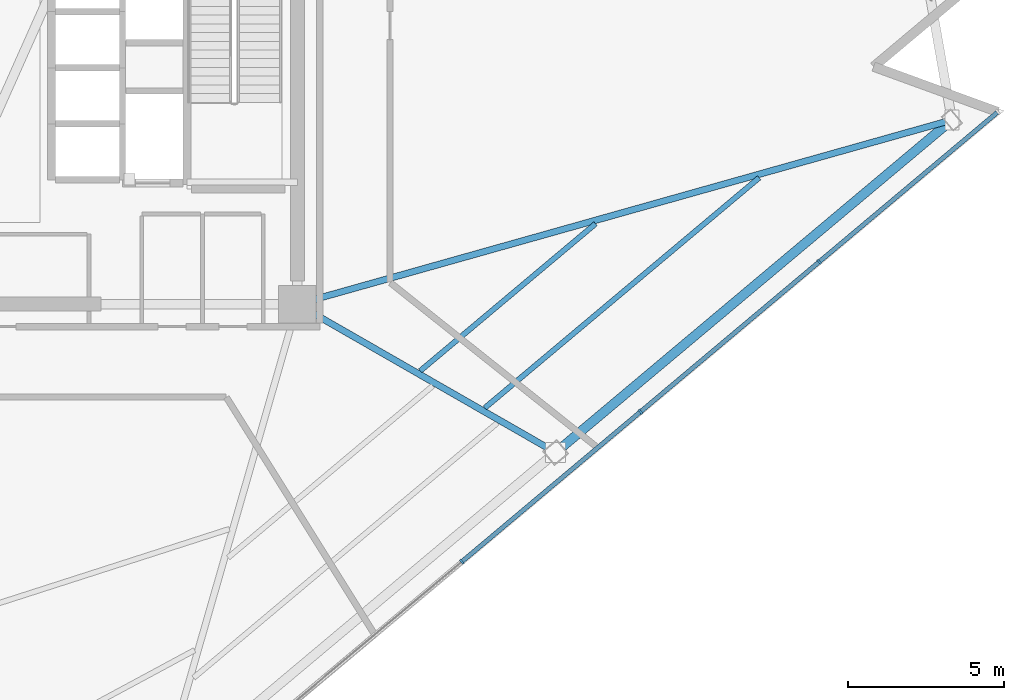
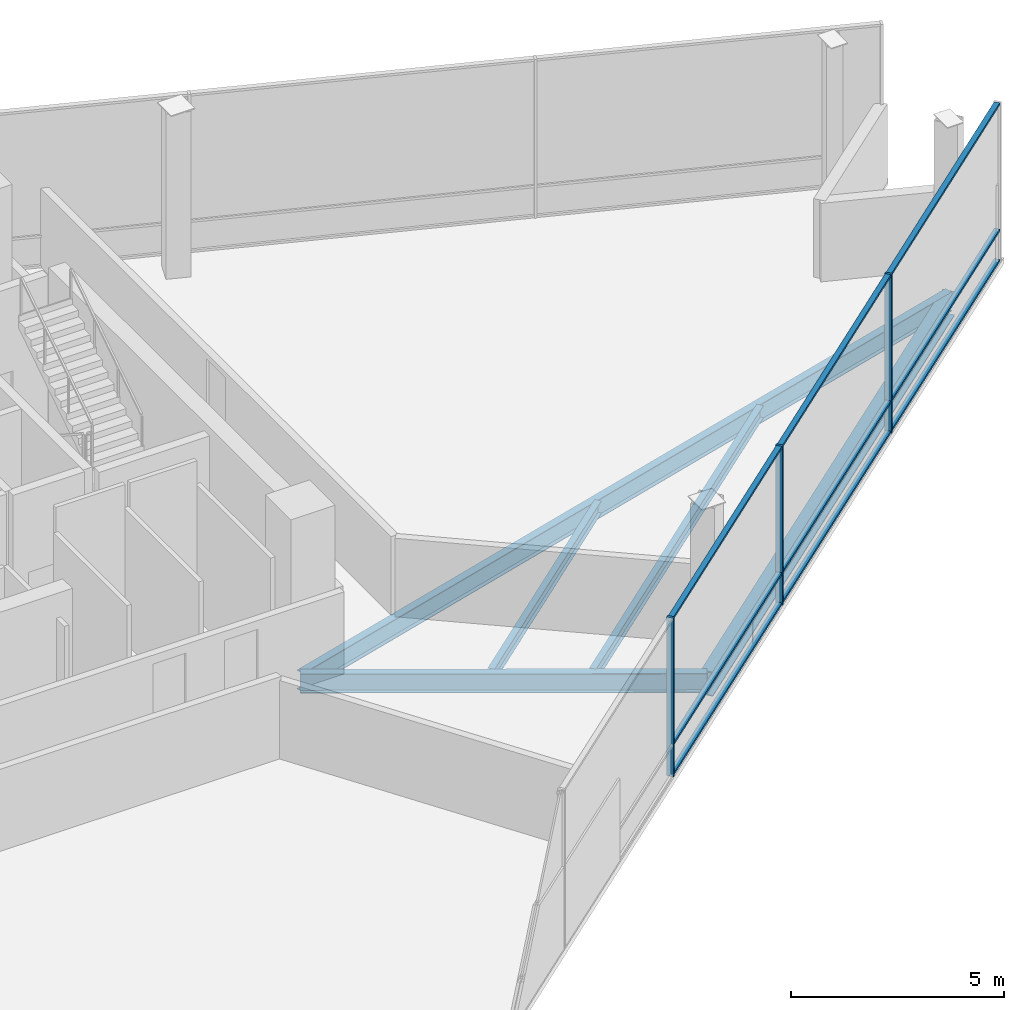
# One storey, part 4 of 15: 12 members, 5 beams, 1 element without a shape of its own.
"""IFC4 building model written with IfcOpenShell, lengths in metres."""

from ifc_helpers import new_model, si_unit, direction, frame, origin, origin_2d, place, context, subcontext, project, spatial, rectangle, i_section, extrude, material, layer, layer_set, material_profile, profile_set, type_object, element, aggregate, save


model = new_model("IFC4")

# Units and contexts
model_context = context("Model", 3, precision=1e-05, world=origin(), true_north=direction((0.0, 1.0)))
body_context = subcontext(model_context, "Body", "Model", "MODEL_VIEW")
ifc_project = project(units=[si_unit("LENGTHUNIT", "METRE"), si_unit("AREAUNIT", "SQUARE_METRE"), si_unit("VOLUMEUNIT", "CUBIC_METRE"), si_unit("PLANEANGLEUNIT", "RADIAN"), si_unit("MASSUNIT", "GRAM", prefix="KILO")], contexts=[model_context])

# Site, building, storey
site_placement = place(None, origin())
site = spatial("IfcSite", under=ifc_project, at=site_placement, CompositionType="ELEMENT")
building_placement = place(site_placement, origin())
building = spatial("IfcBuilding", under=site, at=building_placement, Name="Tharavind Bronze Gate", CompositionType="ELEMENT")
storey_placement = place(building_placement, frame((0.0, 0.0, 192.10009765625)))
storey = spatial("IfcBuildingStorey", under=building, at=storey_placement, Name="L49", CompositionType="ELEMENT", Elevation=192.10009765625)

# Curtain wall, members
ifc_material_1 = material(Name="Anodised Bronze Aluminium", Category="aluminium")
ifc_layer = layer(ifc_material_1, 0.219970703125)
ifc_layer_set = layer_set([ifc_layer], Name="Anodised Bronze Aluminium")
curtain_wall_type = type_object("IfcCurtainWallType", Name="UNITISED CURTAIN WALL MID OFFICE", PredefinedType="USERDEFINED", material=ifc_layer_set)
curtain_wall_placement = place(storey_placement, origin())
curtain_wall = element("IfcCurtainWall", 1, at=curtain_wall_placement, inside=storey, type_object=curtain_wall_type, Name="L49 unitised curtain wall mid office CW-L49-S2", ObjectType="UNITISED CURTAIN WALL", PredefinedType="USERDEFINED")
member_type_1 = type_object("IfcMemberType", Name="CURTAIN WALL BRONZE MULLION 65X180", PredefinedType="MULLION", material=ifc_material_1)
member_1_placement = place(storey_placement, frame((14.18408203125, -15.873291015625, -0.000244140625), z_axis=(0.0, 0.0, 1.0), x_axis=(0.766043321242, 0.642788946685, 0.0)))
member_1 = element("IfcMember", 2, at=member_1_placement, type_object=member_type_1, Name="CW-L49-S2 mullion 5", PredefinedType="MULLION", context=body_context, shape_type="SweptSolid", body=[
    extrude(rectangle(XDim=0.06494140625, YDim=0.179931640625, at=origin_2d()), origin(), (0.0, 0.0, 1.0), 4.56005859375),
])
member_2_placement = place(storey_placement, frame((19.926513671875, -11.0546875, -0.000244140625), z_axis=(0.0, 0.0, 1.0), x_axis=(0.766043321242, 0.642788946685, 0.0)))
member_2 = element("IfcMember", 3, at=member_2_placement, type_object=member_type_1, Name="CW-L49-S2 mullion 6", PredefinedType="MULLION", context=body_context, shape_type="SweptSolid", body=[
    extrude(rectangle(XDim=0.06494140625, YDim=0.179931640625, at=origin_2d()), origin(), (0.0, 0.0, 1.0), 4.56005859375),
])
member_3_placement = place(storey_placement, frame((25.668701171875, -6.236572265625, -0.000244140625), z_axis=(0.0, 0.0, 1.0), x_axis=(0.766043321242, 0.642788946685, 0.0)))
member_3 = element("IfcMember", 4, at=member_3_placement, type_object=member_type_1, Name="CW-L49-S2 mullion 7", PredefinedType="MULLION", context=body_context, shape_type="SweptSolid", body=[
    extrude(rectangle(XDim=0.06494140625, YDim=0.179931640625, at=origin_2d()), origin(), (0.0, 0.0, 1.0), 4.56005859375),
])
member_type_2 = type_object("IfcMemberType", Name="CURTAIN WALL BRONZE TRANSOM 65X140", PredefinedType="USERDEFINED", material=ifc_material_1)
member_4_placement = place(storey_placement, frame((17.055419921875, -13.464111328125, 0.0), z_axis=(0.0, 0.0, 1.0), x_axis=(0.766043321242, 0.642788946685, 0.0)))
member_4 = element("IfcMember", 5, at=member_4_placement, type_object=member_type_2, Name="CW-L49-S2 transom TB5", ObjectType="TRANSOM", PredefinedType="USERDEFINED", context=body_context, shape_type="SweptSolid", body=[
    extrude(rectangle(XDim=7.443115234375, YDim=0.139892578125, at=origin_2d()), origin(), (0.0, 0.0, 1.0), 0.06494140625),
])
member_5_placement = place(storey_placement, frame((17.055419921875, -13.464111328125, 0.867431640625), z_axis=(0.0, 0.0, 1.0), x_axis=(0.766043321242, 0.642788946685, 0.0)))
member_5 = element("IfcMember", 6, at=member_5_placement, type_object=member_type_2, Name="CW-L49-S2 transom TS5", ObjectType="TRANSOM", PredefinedType="USERDEFINED", context=body_context, shape_type="SweptSolid", body=[
    extrude(rectangle(XDim=7.443115234375, YDim=0.139892578125, at=origin_2d()), origin(), (0.0, 0.0, 1.0), 0.06494140625),
])
member_6_placement = place(storey_placement, frame((17.055419921875, -13.464111328125, 4.494873046875), z_axis=(0.0, 0.0, 1.0), x_axis=(0.766043321242, 0.642788946685, 0.0)))
member_6 = element("IfcMember", 7, at=member_6_placement, type_object=member_type_2, Name="CW-L49-S2 transom TT5", ObjectType="TRANSOM", PredefinedType="USERDEFINED", context=body_context, shape_type="SweptSolid", body=[
    extrude(rectangle(XDim=7.443115234375, YDim=0.139892578125, at=origin_2d()), origin(), (0.0, 0.0, 1.0), 0.06494140625),
])
member_7_placement = place(storey_placement, frame((22.797607421875, -8.645751953125, 0.0), z_axis=(0.0, 0.0, 1.0), x_axis=(0.766043321242, 0.642788946685, 0.0)))
member_7 = element("IfcMember", 8, at=member_7_placement, type_object=member_type_2, Name="CW-L49-S2 transom TB6", ObjectType="TRANSOM", PredefinedType="USERDEFINED", context=body_context, shape_type="SweptSolid", body=[
    extrude(rectangle(XDim=7.443115234375, YDim=0.139892578125, at=origin_2d()), origin(), (0.0, 0.0, 1.0), 0.06494140625),
])
member_8_placement = place(storey_placement, frame((22.797607421875, -8.645751953125, 0.867431640625), z_axis=(0.0, 0.0, 1.0), x_axis=(0.766043321242, 0.642788946685, 0.0)))
member_8 = element("IfcMember", 9, at=member_8_placement, type_object=member_type_2, Name="CW-L49-S2 transom TS6", ObjectType="TRANSOM", PredefinedType="USERDEFINED", context=body_context, shape_type="SweptSolid", body=[
    extrude(rectangle(XDim=7.443115234375, YDim=0.139892578125, at=origin_2d()), origin(), (0.0, 0.0, 1.0), 0.06494140625),
])
member_9_placement = place(storey_placement, frame((22.797607421875, -8.645751953125, 4.494873046875), z_axis=(0.0, 0.0, 1.0), x_axis=(0.766043321242, 0.642788946685, 0.0)))
member_9 = element("IfcMember", 10, at=member_9_placement, type_object=member_type_2, Name="CW-L49-S2 transom TT6", ObjectType="TRANSOM", PredefinedType="USERDEFINED", context=body_context, shape_type="SweptSolid", body=[
    extrude(rectangle(XDim=7.443115234375, YDim=0.139892578125, at=origin_2d()), origin(), (0.0, 0.0, 1.0), 0.06494140625),
])
member_10_placement = place(storey_placement, frame((28.539794921875, -3.827392578125, 0.0), z_axis=(0.0, 0.0, 1.0), x_axis=(0.766043321242, 0.642788946685, 0.0)))
member_10 = element("IfcMember", 11, at=member_10_placement, type_object=member_type_2, Name="CW-L49-S2 transom TB7", ObjectType="TRANSOM", PredefinedType="USERDEFINED", context=body_context, shape_type="SweptSolid", body=[
    extrude(rectangle(XDim=7.443115234375, YDim=0.139892578125, at=origin_2d()), origin(), (0.0, 0.0, 1.0), 0.06494140625),
])
member_11_placement = place(storey_placement, frame((28.539794921875, -3.827392578125, 0.867431640625), z_axis=(0.0, 0.0, 1.0), x_axis=(0.766043321242, 0.642788946685, 0.0)))
member_11 = element("IfcMember", 12, at=member_11_placement, type_object=member_type_2, Name="CW-L49-S2 transom TS7", ObjectType="TRANSOM", PredefinedType="USERDEFINED", context=body_context, shape_type="SweptSolid", body=[
    extrude(rectangle(XDim=7.443115234375, YDim=0.139892578125, at=origin_2d()), origin(), (0.0, 0.0, 1.0), 0.06494140625),
])
member_12_placement = place(storey_placement, frame((28.539794921875, -3.827392578125, 4.494873046875), z_axis=(0.0, 0.0, 1.0), x_axis=(0.766043321242, 0.642788946685, 0.0)))
member_12 = element("IfcMember", 13, at=member_12_placement, type_object=member_type_2, Name="CW-L49-S2 transom TT7", ObjectType="TRANSOM", PredefinedType="USERDEFINED", context=body_context, shape_type="SweptSolid", body=[
    extrude(rectangle(XDim=7.443115234375, YDim=0.139892578125, at=origin_2d()), origin(), (0.0, 0.0, 1.0), 0.06494140625),
])
aggregate(curtain_wall, [member_1, member_2, member_3, member_4, member_5, member_6, member_7, member_8, member_9, member_10, member_11, member_12])

# Beams
ifc_material_2 = material(Name="Steel S355", Category="steel")
ifc_material_profile_1 = material_profile(ifc_material_2, i_section(OverallWidth=0.2099609375, OverallDepth=0.550048828125, WebThickness=0.010986328125, FlangeThickness=0.01708984375, at=origin_2d()), Name="IPE550")
ifc_profile_set_1 = profile_set([ifc_material_profile_1], Name="Steel S355")
beam_type_1 = type_object("IfcBeamType", Name="PRIMARY GIRDER IPE550", PredefinedType="USERDEFINED", material=ifc_profile_set_1)
beam_1_placement = place(storey_placement, frame((17.198486328125, -12.36474609375, -0.455078125), z_axis=(-0.867223923142, 0.497918333796, 0.0), x_axis=(-0.497918333796, -0.867223923142, 0.0)))
element("IfcBeam", 14, at=beam_1_placement, inside=storey, type_object=beam_type_1, Name="L49 primary girder ipe550 BM-L49-RAD07", ObjectType="GIRDER", PredefinedType="USERDEFINED", context=body_context, shape_type="SweptSolid", body=[
    extrude(i_section(OverallWidth=0.2099609375, OverallDepth=0.550048828125, WebThickness=0.010986328125, FlangeThickness=0.01708984375, at=origin_2d()), origin(), (0.0, 0.0, 1.0), 9.569091796875),
])
beam_2_placement = place(storey_placement, frame((29.933837890625, -1.6787109375, -0.455078125), z_axis=(-0.962584208387, -0.270982733332, 0.0), x_axis=(0.270982733332, -0.962584208387, 0.0)))
element("IfcBeam", 15, at=beam_2_placement, inside=storey, type_object=beam_type_1, Name="L49 primary girder ipe550 BM-L49-RAD08", ObjectType="GIRDER", PredefinedType="USERDEFINED", context=body_context, shape_type="SweptSolid", body=[
    extrude(i_section(OverallWidth=0.2099609375, OverallDepth=0.550048828125, WebThickness=0.010986328125, FlangeThickness=0.01708984375, at=origin_2d()), origin(), (0.0, 0.0, 1.0), 21.8515625),
])
ifc_material_profile_2 = material_profile(ifc_material_2, i_section(OverallWidth=0.300048828125, OverallDepth=0.699951171875, WebThickness=0.01708984375, FlangeThickness=0.031982421875, at=origin_2d()), Name="HE700B")
ifc_profile_set_2 = profile_set([ifc_material_profile_2], Name="Steel S355")
beam_type_2 = type_object("IfcBeamType", Name="RING GIRDER HE700B", PredefinedType="USERDEFINED", material=ifc_profile_set_2)
beam_3_placement = place(storey_placement, frame((17.198486328125, -12.36474609375, -0.530029296875), z_axis=(0.766050178558, 0.642780774394, 0.0), x_axis=(-0.642780774394, 0.766050178558, 0.0)))
element("IfcBeam", 16, at=beam_3_placement, inside=storey, type_object=beam_type_2, Name="L49 ring girder he700b BM-L49-PRG07", ObjectType="GIRDER", PredefinedType="USERDEFINED", context=body_context, shape_type="SweptSolid", body=[
    extrude(i_section(OverallWidth=0.300048828125, OverallDepth=0.699951171875, WebThickness=0.01708984375, FlangeThickness=0.031982421875, at=origin_2d()), origin(), (0.0, 0.0, 1.0), 16.624755859375),
])
ifc_material_profile_3 = material_profile(ifc_material_2, i_section(OverallWidth=0.169921875, OverallDepth=0.360107421875, WebThickness=0.008056640625, FlangeThickness=0.0126953125, at=origin_2d()), Name="IPE360")
ifc_profile_set_3 = profile_set([ifc_material_profile_3], Name="Steel S355")
beam_type_3 = type_object("IfcBeamType", Name="SECONDARY FLOOR JOIST IPE360", PredefinedType="JOIST", material=ifc_profile_set_3)
beam_4_placement = place(storey_placement, frame((12.84765625, -9.7412109375, -0.360107421875), z_axis=(0.76602387, 0.642812126979, 0.0), x_axis=(-0.642812126979, 0.76602387, 0.0)))
element("IfcBeam", 17, at=beam_4_placement, inside=storey, type_object=beam_type_3, Name="L49 secondary floor joist ipe360 BM-L49-JSTA07", PredefinedType="JOIST", context=body_context, shape_type="SweptSolid", body=[
    extrude(i_section(OverallWidth=0.169921875, OverallDepth=0.360107421875, WebThickness=0.008056640625, FlangeThickness=0.0126953125, at=origin_2d()), origin(), (0.0, 0.0, 1.0), 7.355224609375),
])
beam_5_placement = place(storey_placement, frame((14.922119140625, -10.932373046875, -0.360107421875), z_axis=(0.766047353374, 0.642784141364, 0.0), x_axis=(-0.642784141364, 0.766047353374, 0.0)))
element("IfcBeam", 18, at=beam_5_placement, inside=storey, type_object=beam_type_3, Name="L49 secondary floor joist ipe360 BM-L49-JSTB07", PredefinedType="JOIST", context=body_context, shape_type="SweptSolid", body=[
    extrude(i_section(OverallWidth=0.169921875, OverallDepth=0.360107421875, WebThickness=0.008056640625, FlangeThickness=0.0126953125, at=origin_2d()), origin(), (0.0, 0.0, 1.0), 11.511474609375),
])

save(model, "model.ifc")
